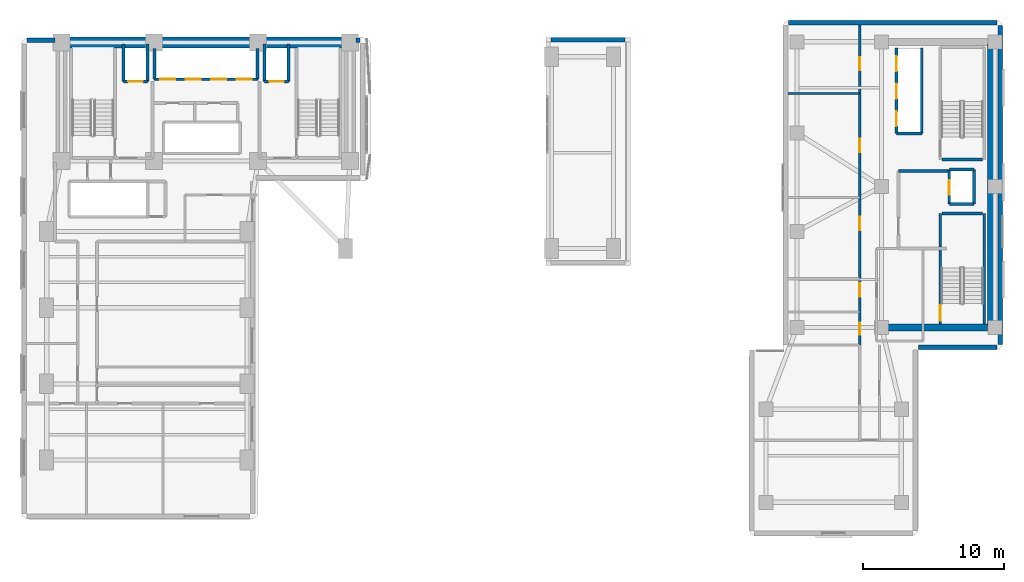
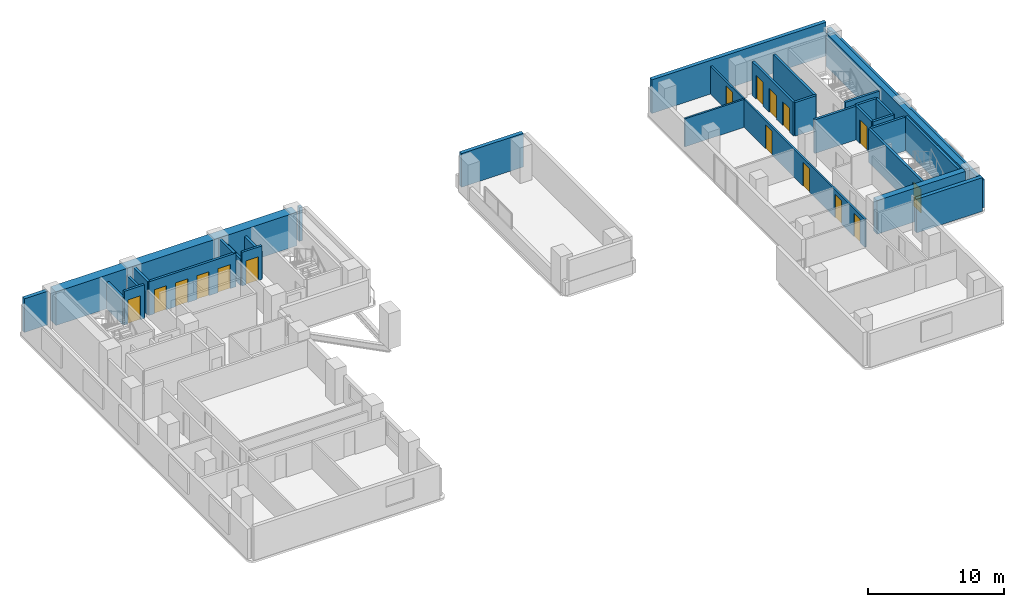
# One storey, part 10 of 14: 32 walls, 16 doors, 16 openings.
"""IFC4 building model written with IfcOpenShell, lengths in metres."""

from ifc_helpers import new_model, si_unit, direction, frame, frame_2d, origin, place, context, subcontext, project, spatial, rectangle, extrude, material, layer, layer_set, type_object, element, fill, save


model = new_model("IFC4")

# Units and contexts
model_context = context("Model", 3, precision=1e-05, world=origin(), true_north=direction((0.0, 1.0)))
body_context = subcontext(model_context, "Body", "Model", "MODEL_VIEW")
ifc_project = project(units=[si_unit("LENGTHUNIT", "METRE"), si_unit("AREAUNIT", "SQUARE_METRE"), si_unit("VOLUMEUNIT", "CUBIC_METRE"), si_unit("PLANEANGLEUNIT", "RADIAN"), si_unit("MASSUNIT", "GRAM", prefix="KILO")], contexts=[model_context])

# Site, building, storey
site_placement = place(None, origin())
site = spatial("IfcSite", under=ifc_project, at=site_placement, CompositionType="ELEMENT")
building_placement = place(site_placement, origin())
building = spatial("IfcBuilding", under=site, at=building_placement, Name="Kuzgunbayir Cultural Tower", CompositionType="ELEMENT")
storey_placement = place(building_placement, frame((0.0, 0.0, 33.39990234375)))
storey = spatial("IfcBuildingStorey", under=building, at=storey_placement, Name="L08", CompositionType="ELEMENT", Elevation=33.39990234375)

# Walls
ifc_material_1 = material(Name="Concrete C60/75", Category="concrete")
ifc_layer_1 = layer(ifc_material_1, 0.800048828125)
ifc_layer_set_1 = layer_set([ifc_layer_1], Name="Concrete C60/75")
wall_type_1 = type_object("IfcWallType", Name="WAL-CORE-800", PredefinedType="SHEAR", material=ifc_layer_set_1)
wall_1_placement = place(storey_placement, frame((6.449951171875, 42.199951171875, 0.0), z_axis=(0.0, 0.0, 1.0), x_axis=(1.0, 0.0, 0.0)))
element("IfcWall", 1, at=wall_1_placement, inside=storey, type_object=wall_type_1, Name="L08 T1 Core North Shear Wall", PredefinedType="SHEAR", context=body_context, shape_type="SweptSolid", body=[
    extrude(rectangle(XDim=20.449951171875, YDim=0.800048828125, at=frame_2d((10.22509765625, 0.0))), origin(), (0.0, 0.0, 1.0), 3.02001953125),
])
ifc_material_2 = material(Name="Travertine Buff Ashlar", Category="masonry")
ifc_layer_2 = layer(ifc_material_2, 0.320068359375)
ifc_layer_set_2 = layer_set([ifc_layer_2], Name="Travertine Buff Ashlar")
wall_type_2 = type_object("IfcWallType", Name="WAL-EXT-STONE-320", PredefinedType="STANDARD", material=ifc_layer_set_2)
wall_2_placement = place(storey_placement, frame((27.60009765625, 42.35009765625, 0.0), z_axis=(0.0, 0.0, 1.0), x_axis=(-1.0, 0.0, 0.0)))
element("IfcWall", 2, at=wall_2_placement, inside=storey, type_object=wall_type_2, Name="L08 North Wing B Limestone Wall", PredefinedType="STANDARD", context=body_context, shape_type="SweptSolid", body=[
    extrude(rectangle(XDim=0.25, YDim=0.320068359375, at=frame_2d((0.125, 0.0))), origin(), (0.0, 0.0, 1.0), 3.02001953125),
])
wall_3_placement = place(storey_placement, frame((6.0, 42.35009765625, 0.0), z_axis=(0.0, 0.0, 1.0), x_axis=(-1.0, 0.0, 0.0)))
element("IfcWall", 3, at=wall_3_placement, inside=storey, type_object=wall_type_2, Name="L08 Core North-West Spandrel Link", PredefinedType="STANDARD", context=body_context, shape_type="SweptSolid", body=[
    extrude(rectangle(XDim=2.0, YDim=0.320068359375, at=frame_2d((1.0, 0.0))), origin(), (0.0, 0.0, 1.0), 3.02001953125),
])
wall_4_placement = place(storey_placement, frame((46.39990234375, 42.39990234375, 0.0), z_axis=(0.0, 0.0, 1.0), x_axis=(-1.0, 0.0, 0.0)))
element("IfcWall", 4, at=wall_4_placement, inside=storey, type_object=wall_type_2, Name="L08 Portal Pier North Wall", PredefinedType="STANDARD", context=body_context, shape_type="SweptSolid", body=[
    extrude(rectangle(XDim=5.25, YDim=0.320068359375, at=frame_2d((2.625, 0.0))), origin(), (0.0, 0.0, 1.0), 3.02001953125),
])
wall_5_placement = place(storey_placement, frame((73.0, 20.800048828125, 0.0), z_axis=(0.0, 0.0, 1.0), x_axis=(0.0, 1.0, 0.0)))
element("IfcWall", 5, at=wall_5_placement, inside=storey, type_object=wall_type_2, Name="L08 Companion East Limestone Wall", PredefinedType="STANDARD", context=body_context, shape_type="SweptSolid", body=[
    extrude(rectangle(XDim=22.599853515625, YDim=0.320068359375, at=frame_2d((11.2998046875, 0.0))), origin(), (0.0, 0.0, 1.0), 2.510009765625),
])
wall_6_placement = place(storey_placement, frame((72.800048828125, 43.60009765625, 0.0), z_axis=(0.0, 0.0, 1.0), x_axis=(-1.0, 0.0, 0.0)))
element("IfcWall", 6, at=wall_6_placement, inside=storey, type_object=wall_type_2, Name="L08 Companion North Limestone Wall", PredefinedType="STANDARD", context=body_context, shape_type="SweptSolid", body=[
    extrude(rectangle(XDim=14.800048828125, YDim=0.320068359375, at=frame_2d((7.39990234375, 0.0))), origin(), (0.0, 0.0, 1.0), 3.02001953125),
])
wall_7_placement = place(storey_placement, frame((67.199951171875, 20.60009765625, 0.0), z_axis=(0.0, 0.0, 1.0), x_axis=(1.0, 0.0, 0.0)))
element("IfcWall", 7, at=wall_7_placement, inside=storey, type_object=wall_type_2, Name="L08 Companion South-East Link", PredefinedType="STANDARD", context=body_context, shape_type="SweptSolid", body=[
    extrude(rectangle(XDim=5.60009765625, YDim=0.320068359375, at=frame_2d((2.800048828125, 0.0))), origin(), (0.0, 0.0, 1.0), 3.02001953125),
])

# Wall, openings, doors
ifc_material_3 = material(Name="Acoustic Double-Stud Drywall", Category="gypsum")
ifc_layer_3 = layer(ifc_material_3, 0.14990234375)
ifc_layer_set_3 = layer_set([ifc_layer_3], Name="Acoustic Double-Stud Drywall")
wall_type_3 = type_object("IfcWallType", Name="WAL-PART-ACOUSTIC-150", PredefinedType="PARTITIONING", material=ifc_layer_set_3)
wall_8_placement = place(storey_placement, frame((63.050048828125, 20.75, 0.0), z_axis=(0.0, 0.0, 1.0), x_axis=(0.0, 1.0, 0.0)))
wall_8 = element("IfcWall", 8, at=wall_8_placement, inside=storey, type_object=wall_type_3, Name="L08 Companion Corridor West Wall", PredefinedType="PARTITIONING", context=body_context, shape_type="SweptSolid", body=[
    extrude(rectangle(XDim=22.699951171875, YDim=0.14990234375, at=frame_2d((11.35009765625, 0.0))), origin(), (0.0, 0.0, 1.0), 2.510009765625),
])
opening_1_placement = place(wall_8_placement, frame((0.72998046875, 0.0, 0.0)))
opening_1 = element("IfcOpeningElement", 9, at=opening_1_placement, cuts=wall_8, Name="Opening DW-85", PredefinedType="OPENING", context=body_context, shape_type="SweptSolid", body=[
    extrude(rectangle(XDim=0.85009765625, YDim=2.10009765625, at=frame_2d((0.425048828125, 1.050048828125))), frame((0.0, 0.0849609375, 0.0), z_axis=(0.0, -1.0, 0.0), x_axis=(1.0, 0.0, 0.0)), (0.0, 0.0, 1.0), 0.169921875),
])
opening_2_placement = place(wall_8_placement, frame((3.429931640625, 0.0, 0.0)))
opening_2 = element("IfcOpeningElement", 10, at=opening_2_placement, cuts=wall_8, Name="Opening DW-95", PredefinedType="OPENING", context=body_context, shape_type="SweptSolid", body=[
    extrude(rectangle(XDim=0.949951171875, YDim=2.10009765625, at=frame_2d((0.47509765625, 1.050048828125))), frame((0.0, 0.0849609375, 0.0), z_axis=(0.0, -1.0, 0.0), x_axis=(1.0, 0.0, 0.0)), (0.0, 0.0, 1.0), 0.169921875),
])
opening_3_placement = place(wall_8_placement, frame((8.14990234375, 0.0, 0.0)))
opening_3 = element("IfcOpeningElement", 11, at=opening_3_placement, cuts=wall_8, Name="Opening DI-90", PredefinedType="OPENING", context=body_context, shape_type="SweptSolid", body=[
    extrude(rectangle(XDim=0.949951171875, YDim=2.14990234375, at=frame_2d((0.47509765625, 1.074951171875))), frame((0.0, 0.0849609375, 0.0), z_axis=(0.0, -1.0, 0.0), x_axis=(1.0, 0.0, 0.0)), (0.0, 0.0, 1.0), 0.169921875),
])
opening_4_placement = place(wall_8_placement, frame((13.669921875, 0.0, 0.0)))
opening_4 = element("IfcOpeningElement", 12, at=opening_4_placement, cuts=wall_8, Name="Opening DI-90", PredefinedType="OPENING", context=body_context, shape_type="SweptSolid", body=[
    extrude(rectangle(XDim=0.949951171875, YDim=2.14990234375, at=frame_2d((0.47509765625, 1.074951171875))), frame((0.0, 0.0849609375, 0.0), z_axis=(0.0, -1.0, 0.0), x_axis=(1.0, 0.0, 0.0)), (0.0, 0.0, 1.0), 0.169921875),
])
opening_5_placement = place(wall_8_placement, frame((19.469970703125, 0.0, 0.0)))
opening_5 = element("IfcOpeningElement", 13, at=opening_5_placement, cuts=wall_8, Name="Opening DI-90", PredefinedType="OPENING", context=body_context, shape_type="SweptSolid", body=[
    extrude(rectangle(XDim=0.949951171875, YDim=2.14990234375, at=frame_2d((0.47509765625, 1.074951171875))), frame((0.0, 0.0849609375, 0.0), z_axis=(0.0, -1.0, 0.0), x_axis=(1.0, 0.0, 0.0)), (0.0, 0.0, 1.0), 0.169921875),
])
ifc_material_4 = material(Name="Veneered Oak Single Leaf", Category="wood")
door_type_1 = type_object("IfcDoorType", Name="DR-INT-90", OperationType="NOTDEFINED", PredefinedType="DOOR", material=ifc_material_4)
door_1_placement = place(opening_3_placement, origin())
door_1 = element("IfcDoor", 14, at=door_1_placement, inside=storey, type_object=door_type_1, Name="L08 Companion Wellness Consultation Studio 1 Door", OperationType="SINGLE_SWING_RIGHT", OverallHeight=2.14990234375, OverallWidth=0.949951171875, PredefinedType="DOOR", context=body_context, shape_type="SweptSolid", body=[
    extrude(rectangle(XDim=0.949951171875, YDim=2.14990234375, at=frame_2d((0.47509765625, 1.074951171875))), frame((0.0, 0.02490234375, 0.0), z_axis=(0.0, -1.0, 0.0), x_axis=(1.0, 0.0, 0.0)), (0.0, 0.0, 1.0), 0.050048828125),
])
fill(opening_3, door_1)
door_2_placement = place(opening_4_placement, origin())
door_2 = element("IfcDoor", 15, at=door_2_placement, inside=storey, type_object=door_type_1, Name="L08 Companion Fellows Reading Lounge 2 Door", OperationType="SINGLE_SWING_LEFT", OverallHeight=2.14990234375, OverallWidth=0.949951171875, PredefinedType="DOOR", context=body_context, shape_type="SweptSolid", body=[
    extrude(rectangle(XDim=0.949951171875, YDim=2.14990234375, at=frame_2d((0.47509765625, 1.074951171875))), frame((0.0, 0.02490234375, 0.0), z_axis=(0.0, -1.0, 0.0), x_axis=(1.0, 0.0, 0.0)), (0.0, 0.0, 1.0), 0.050048828125),
])
fill(opening_4, door_2)
door_3_placement = place(opening_5_placement, origin())
door_3 = element("IfcDoor", 16, at=door_3_placement, inside=storey, type_object=door_type_1, Name="L08 Companion Curatorial Office 3 Door", OperationType="SINGLE_SWING_RIGHT", OverallHeight=2.14990234375, OverallWidth=0.949951171875, PredefinedType="DOOR", context=body_context, shape_type="SweptSolid", body=[
    extrude(rectangle(XDim=0.949951171875, YDim=2.14990234375, at=frame_2d((0.47509765625, 1.074951171875))), frame((0.0, 0.02490234375, 0.0), z_axis=(0.0, -1.0, 0.0), x_axis=(1.0, 0.0, 0.0)), (0.0, 0.0, 1.0), 0.050048828125),
])
fill(opening_5, door_3)
ifc_material_5 = material(Name="Laminate Moisture-Resistant Leaf", Category="wood")
door_type_2 = type_object("IfcDoorType", Name="DR-WET-85", OperationType="NOTDEFINED", PredefinedType="DOOR", material=ifc_material_5)
door_4_placement = place(opening_1_placement, origin())
door_4 = element("IfcDoor", 17, at=door_4_placement, inside=storey, type_object=door_type_2, Name="L08 Companion WC Door", OperationType="SINGLE_SWING_RIGHT", OverallHeight=2.10009765625, OverallWidth=0.85009765625, PredefinedType="DOOR", context=body_context, shape_type="SweptSolid", body=[
    extrude(rectangle(XDim=0.85009765625, YDim=2.10009765625, at=frame_2d((0.425048828125, 1.050048828125))), frame((0.0, 0.02490234375, 0.0), z_axis=(0.0, -1.0, 0.0), x_axis=(1.0, 0.0, 0.0)), (0.0, 0.0, 1.0), 0.050048828125),
])
fill(opening_1, door_4)
door_type_3 = type_object("IfcDoorType", Name="DR-WET-95", OperationType="NOTDEFINED", PredefinedType="DOOR", material=ifc_material_5)
door_5_placement = place(opening_2_placement, origin())
door_5 = element("IfcDoor", 18, at=door_5_placement, inside=storey, type_object=door_type_3, Name="L08 Companion Accessible WC Door", OperationType="SINGLE_SWING_LEFT", OverallHeight=2.10009765625, OverallWidth=0.949951171875, PredefinedType="DOOR", context=body_context, shape_type="SweptSolid", body=[
    extrude(rectangle(XDim=0.949951171875, YDim=2.10009765625, at=frame_2d((0.47509765625, 1.050048828125))), frame((0.0, 0.02490234375, 0.0), z_axis=(0.0, -1.0, 0.0), x_axis=(1.0, 0.0, 0.0)), (0.0, 0.0, 1.0), 0.050048828125),
])
fill(opening_2, door_5)

# Walls
wall_9_placement = place(storey_placement, frame((57.949951171875, 38.590087890625, 0.0), z_axis=(0.0, 0.0, 1.0), x_axis=(1.0, 0.0, 0.0)))
element("IfcWall", 19, at=wall_9_placement, inside=storey, type_object=wall_type_3, Name="L08 Companion Studio Partition 2", PredefinedType="PARTITIONING", context=body_context, shape_type="SweptSolid", body=[
    extrude(rectangle(XDim=5.10009765625, YDim=0.14990234375, at=frame_2d((2.550048828125, 0.0))), origin(), (0.0, 0.0, 1.0), 2.510009765625),
])
ifc_material_6 = material(Name="Aerated Concrete Blockwork", Category="masonry")
ifc_layer_4 = layer(ifc_material_6, 0.199951171875)
ifc_layer_set_4 = layer_set([ifc_layer_4], Name="Aerated Concrete Blockwork")
wall_type_4 = type_object("IfcWallType", Name="WAL-PART-FIRE-200", PredefinedType="PARTITIONING", material=ifc_layer_set_4)
wall_10_placement = place(storey_placement, frame((65.800048828125, 33.10009765625, 0.0), z_axis=(0.0, 0.0, 1.0), x_axis=(1.0, 0.0, 0.0)))
element("IfcWall", 20, at=wall_10_placement, inside=storey, type_object=wall_type_4, Name="L08 FFL-3 Lobby North Fire Wall", PredefinedType="PARTITIONING", context=body_context, shape_type="SweptSolid", body=[
    extrude(rectangle(XDim=3.599853515625, YDim=0.199951171875, at=frame_2d((1.7998046875, 0.0))), origin(), (0.0, 0.0, 1.0), 3.02001953125),
])

# Wall, opening, door
ifc_material_7 = material(Name="Concrete C40/50", Category="concrete")
ifc_layer_5 = layer(ifc_material_7, 0.199951171875)
ifc_layer_set_5 = layer_set([ifc_layer_5], Name="Concrete C40/50")
wall_type_5 = type_object("IfcWallType", Name="WAL-SHAFT-200", PredefinedType="MOVABLE", material=ifc_layer_set_5)
wall_11_placement = place(storey_placement, frame((10.85009765625, 39.449951171875, 0.0), z_axis=(0.0, 0.0, 1.0), x_axis=(1.0, 0.0, 0.0)))
wall_11 = element("IfcWall", 21, at=wall_11_placement, inside=storey, type_object=wall_type_5, Name="L08 FFL-1 Lift Front Wall", PredefinedType="MOVABLE", context=body_context, shape_type="SweptSolid", body=[
    extrude(rectangle(XDim=1.699951171875, YDim=0.199951171875, at=frame_2d((0.85009765625, 0.0))), origin(), (0.0, 0.0, 1.0), 3.02001953125),
])
opening_6_placement = place(wall_11_placement, frame((0.320068359375, 0.0, 0.0)))
opening_6 = element("IfcOpeningElement", 22, at=opening_6_placement, cuts=wall_11, Name="Opening LD", PredefinedType="OPENING", context=body_context, shape_type="SweptSolid", body=[
    extrude(rectangle(XDim=1.050048828125, YDim=2.14990234375, at=frame_2d((0.52490234375, 1.074951171875))), frame((0.0, 0.10986328125, 0.0), z_axis=(0.0, -1.0, 0.0), x_axis=(1.0, 0.0, 0.0)), (0.0, 0.0, 1.0), 0.219970703125),
])
ifc_material_8 = material(Name="Brushed Stainless Steel", Category="steel")
door_type_4 = type_object("IfcDoorType", Name="DR-LIFT-LANDING", OperationType="SLIDING_TO_LEFT", PredefinedType="DOOR", material=ifc_material_8)
door_6_placement = place(opening_6_placement, origin())
door_6 = element("IfcDoor", 23, at=door_6_placement, inside=storey, type_object=door_type_4, Name="L08 Lift FFL-1 Landing Door", OperationType="SLIDING_TO_LEFT", OverallHeight=2.14990234375, OverallWidth=1.050048828125, PredefinedType="DOOR", context=body_context, shape_type="SweptSolid", body=[
    extrude(rectangle(XDim=1.050048828125, YDim=2.14990234375, at=frame_2d((0.52490234375, 1.074951171875))), frame((0.0, 0.02490234375, 0.0), z_axis=(0.0, -1.0, 0.0), x_axis=(1.0, 0.0, 0.0)), (0.0, 0.0, 1.0), 0.050048828125),
])
fill(opening_6, door_6)

wall_12_placement = place(storey_placement, frame((20.85009765625, 39.449951171875, 0.0), z_axis=(0.0, 0.0, 1.0), x_axis=(1.0, 0.0, 0.0)))
wall_12 = element("IfcWall", 24, at=wall_12_placement, inside=storey, type_object=wall_type_5, Name="L08 FFL-2 Lift Front Wall", PredefinedType="MOVABLE", context=body_context, shape_type="SweptSolid", body=[
    extrude(rectangle(XDim=1.699951171875, YDim=0.199951171875, at=frame_2d((0.85009765625, 0.0))), origin(), (0.0, 0.0, 1.0), 3.02001953125),
])
opening_7_placement = place(wall_12_placement, frame((0.320068359375, 0.0, 0.0)))
opening_7 = element("IfcOpeningElement", 25, at=opening_7_placement, cuts=wall_12, Name="Opening LD", PredefinedType="OPENING", context=body_context, shape_type="SweptSolid", body=[
    extrude(rectangle(XDim=1.050048828125, YDim=2.14990234375, at=frame_2d((0.52490234375, 1.074951171875))), frame((0.0, 0.10986328125, 0.0), z_axis=(0.0, -1.0, 0.0), x_axis=(1.0, 0.0, 0.0)), (0.0, 0.0, 1.0), 0.219970703125),
])
door_7_placement = place(opening_7_placement, origin())
door_7 = element("IfcDoor", 26, at=door_7_placement, inside=storey, type_object=door_type_4, Name="L08 Lift FFL-2 Landing Door", OperationType="SLIDING_TO_LEFT", OverallHeight=2.14990234375, OverallWidth=1.050048828125, PredefinedType="DOOR", context=body_context, shape_type="SweptSolid", body=[
    extrude(rectangle(XDim=1.050048828125, YDim=2.14990234375, at=frame_2d((0.52490234375, 1.074951171875))), frame((0.0, 0.02490234375, 0.0), z_axis=(0.0, -1.0, 0.0), x_axis=(1.0, 0.0, 0.0)), (0.0, 0.0, 1.0), 0.050048828125),
])
fill(opening_7, door_7)

# Walls
for number, where, z_axis, x_axis, name in (
    (27, (10.85009765625, 39.449951171875, 0.0), (0.0, 0.0, 1.0), (0.0, 1.0, 0.0), "L08 FFL-1 Shaft West Wall"),
    (28, (12.550048828125, 39.449951171875, 0.0), (0.0, 0.0, 1.0), (0.0, 1.0, 0.0), "L08 FFL-1 Shaft East Wall"),
    (29, (20.85009765625, 39.449951171875, 0.0), (0.0, 0.0, 1.0), (0.0, 1.0, 0.0), "L08 FFL-2 Shaft West Wall"),
    (30, (22.550048828125, 39.449951171875, 0.0), (0.0, 0.0, 1.0), (0.0, 1.0, 0.0), "L08 FFL-2 Shaft East Wall"),
):
    element("IfcWall", number, at=place(storey_placement, frame(where, z_axis=z_axis, x_axis=x_axis)), inside=storey, type_object=wall_type_5, Name=name, PredefinedType="MOVABLE", context=body_context, shape_type="SweptSolid", body=[
        extrude(rectangle(XDim=2.650146484375, YDim=0.199951171875, at=frame_2d((1.3251953125, 0.0))), origin(), (0.0, 0.0, 1.0), 2.400146484375),
    ])

# Wall, openings, doors
wall_13_placement = place(storey_placement, frame((13.0, 39.60009765625, 0.0), z_axis=(0.0, 0.0, 1.0), x_axis=(1.0, 0.0, 0.0)))
wall_13 = element("IfcWall", 31, at=wall_13_placement, inside=storey, type_object=wall_type_5, Name="L08 Low-Rise Lift Front Wall", PredefinedType="MOVABLE", context=body_context, shape_type="SweptSolid", body=[
    extrude(rectangle(XDim=7.39990234375, YDim=0.199951171875, at=frame_2d((3.699951171875, 0.0))), origin(), (0.0, 0.0, 1.0), 3.02001953125),
])
opening_8_placement = place(wall_13_placement, frame((0.469970703125, 0.0, 0.0)))
opening_8 = element("IfcOpeningElement", 32, at=opening_8_placement, cuts=wall_13, Name="Opening LD", PredefinedType="OPENING", context=body_context, shape_type="SweptSolid", body=[
    extrude(rectangle(XDim=1.050048828125, YDim=2.14990234375, at=frame_2d((0.52490234375, 1.074951171875))), frame((0.0, 0.10986328125, 0.0), z_axis=(0.0, -1.0, 0.0), x_axis=(1.0, 0.0, 0.0)), (0.0, 0.0, 1.0), 0.219970703125),
])
opening_9_placement = place(wall_13_placement, frame((2.280029296875, 0.0, 0.0)))
opening_9 = element("IfcOpeningElement", 33, at=opening_9_placement, cuts=wall_13, Name="Opening LD", PredefinedType="OPENING", context=body_context, shape_type="SweptSolid", body=[
    extrude(rectangle(XDim=1.050048828125, YDim=2.14990234375, at=frame_2d((0.52490234375, 1.074951171875))), frame((0.0, 0.10986328125, 0.0), z_axis=(0.0, -1.0, 0.0), x_axis=(1.0, 0.0, 0.0)), (0.0, 0.0, 1.0), 0.219970703125),
])
opening_10_placement = place(wall_13_placement, frame((4.080078125, 0.0, 0.0)))
opening_10 = element("IfcOpeningElement", 34, at=opening_10_placement, cuts=wall_13, Name="Opening LD", PredefinedType="OPENING", context=body_context, shape_type="SweptSolid", body=[
    extrude(rectangle(XDim=1.050048828125, YDim=2.14990234375, at=frame_2d((0.52490234375, 1.074951171875))), frame((0.0, 0.10986328125, 0.0), z_axis=(0.0, -1.0, 0.0), x_axis=(1.0, 0.0, 0.0)), (0.0, 0.0, 1.0), 0.219970703125),
])
opening_11_placement = place(wall_13_placement, frame((5.8798828125, 0.0, 0.0)))
opening_11 = element("IfcOpeningElement", 35, at=opening_11_placement, cuts=wall_13, Name="Opening LD", PredefinedType="OPENING", context=body_context, shape_type="SweptSolid", body=[
    extrude(rectangle(XDim=1.050048828125, YDim=2.14990234375, at=frame_2d((0.52490234375, 1.074951171875))), frame((0.0, 0.10986328125, 0.0), z_axis=(0.0, -1.0, 0.0), x_axis=(1.0, 0.0, 0.0)), (0.0, 0.0, 1.0), 0.219970703125),
])
door_8_placement = place(opening_8_placement, origin())
door_8 = element("IfcDoor", 36, at=door_8_placement, inside=storey, type_object=door_type_4, Name="L08 Lift PL-1 Landing Door", OperationType="SLIDING_TO_LEFT", OverallHeight=2.14990234375, OverallWidth=1.050048828125, PredefinedType="DOOR", context=body_context, shape_type="SweptSolid", body=[
    extrude(rectangle(XDim=1.050048828125, YDim=2.14990234375, at=frame_2d((0.52490234375, 1.074951171875))), frame((0.0, 0.02490234375, 0.0), z_axis=(0.0, -1.0, 0.0), x_axis=(1.0, 0.0, 0.0)), (0.0, 0.0, 1.0), 0.050048828125),
])
fill(opening_8, door_8)
door_9_placement = place(opening_9_placement, origin())
door_9 = element("IfcDoor", 37, at=door_9_placement, inside=storey, type_object=door_type_4, Name="L08 Lift PL-2 Landing Door", OperationType="SLIDING_TO_LEFT", OverallHeight=2.14990234375, OverallWidth=1.050048828125, PredefinedType="DOOR", context=body_context, shape_type="SweptSolid", body=[
    extrude(rectangle(XDim=1.050048828125, YDim=2.14990234375, at=frame_2d((0.52490234375, 1.074951171875))), frame((0.0, 0.02490234375, 0.0), z_axis=(0.0, -1.0, 0.0), x_axis=(1.0, 0.0, 0.0)), (0.0, 0.0, 1.0), 0.050048828125),
])
fill(opening_9, door_9)
door_10_placement = place(opening_10_placement, origin())
door_10 = element("IfcDoor", 38, at=door_10_placement, inside=storey, type_object=door_type_4, Name="L08 Lift PL-3 Landing Door", OperationType="SLIDING_TO_LEFT", OverallHeight=2.14990234375, OverallWidth=1.050048828125, PredefinedType="DOOR", context=body_context, shape_type="SweptSolid", body=[
    extrude(rectangle(XDim=1.050048828125, YDim=2.14990234375, at=frame_2d((0.52490234375, 1.074951171875))), frame((0.0, 0.02490234375, 0.0), z_axis=(0.0, -1.0, 0.0), x_axis=(1.0, 0.0, 0.0)), (0.0, 0.0, 1.0), 0.050048828125),
])
fill(opening_10, door_10)
door_11_placement = place(opening_11_placement, origin())
door_11 = element("IfcDoor", 39, at=door_11_placement, inside=storey, type_object=door_type_4, Name="L08 Lift PL-4 Landing Door", OperationType="SLIDING_TO_LEFT", OverallHeight=2.14990234375, OverallWidth=1.050048828125, PredefinedType="DOOR", context=body_context, shape_type="SweptSolid", body=[
    extrude(rectangle(XDim=1.050048828125, YDim=2.14990234375, at=frame_2d((0.52490234375, 1.074951171875))), frame((0.0, 0.02490234375, 0.0), z_axis=(0.0, -1.0, 0.0), x_axis=(1.0, 0.0, 0.0)), (0.0, 0.0, 1.0), 0.050048828125),
])
fill(opening_11, door_11)

# Walls
for number, where, z_axis, x_axis, name in (
    (40, (13.050048828125, 39.60009765625, 0.0), (0.0, 0.0, 1.0), (0.0, 1.0, 0.0), "L08 Low-Rise Lift Shaft West Wall"),
    (41, (20.35009765625, 39.60009765625, 0.0), (0.0, 0.0, 1.0), (0.0, 1.0, 0.0), "L08 Low-Rise Lift Shaft East Wall"),
):
    element("IfcWall", number, at=place(storey_placement, frame(where, z_axis=z_axis, x_axis=x_axis)), inside=storey, type_object=wall_type_5, Name=name, PredefinedType="MOVABLE", context=body_context, shape_type="SweptSolid", body=[
        extrude(rectangle(XDim=2.179931640625, YDim=0.199951171875, at=frame_2d((1.08984375, 0.0))), origin(), (0.0, 0.0, 1.0), 3.02001953125),
    ])

# Wall, openings, doors
wall_14_placement = place(storey_placement, frame((65.64990234375, 35.75, 0.0), z_axis=(0.0, 0.0, 1.0), x_axis=(0.0, 1.0, 0.0)))
wall_14 = element("IfcWall", 42, at=wall_14_placement, inside=storey, type_object=wall_type_5, Name="L08 Companion Lift Front Wall", PredefinedType="MOVABLE", context=body_context, shape_type="SweptSolid", body=[
    extrude(rectangle(XDim=6.050048828125, YDim=0.199951171875, at=frame_2d((3.02490234375, 0.0))), origin(), (0.0, 0.0, 1.0), 3.02001953125),
])
opening_12_placement = place(wall_14_placement, frame((0.52001953125, 0.0, 0.0)))
opening_12 = element("IfcOpeningElement", 43, at=opening_12_placement, cuts=wall_14, Name="Opening LD", PredefinedType="OPENING", context=body_context, shape_type="SweptSolid", body=[
    extrude(rectangle(XDim=1.050048828125, YDim=2.14990234375, at=frame_2d((0.52490234375, 1.074951171875))), frame((0.0, 0.10986328125, 0.0), z_axis=(0.0, -1.0, 0.0), x_axis=(1.0, 0.0, 0.0)), (0.0, 0.0, 1.0), 0.219970703125),
])
opening_13_placement = place(wall_14_placement, frame((2.47998046875, 0.0, 0.0)))
opening_13 = element("IfcOpeningElement", 44, at=opening_13_placement, cuts=wall_14, Name="Opening LD", PredefinedType="OPENING", context=body_context, shape_type="SweptSolid", body=[
    extrude(rectangle(XDim=1.050048828125, YDim=2.14990234375, at=frame_2d((0.52490234375, 1.074951171875))), frame((0.0, 0.10986328125, 0.0), z_axis=(0.0, -1.0, 0.0), x_axis=(1.0, 0.0, 0.0)), (0.0, 0.0, 1.0), 0.219970703125),
])
opening_14_placement = place(wall_14_placement, frame((4.429931640625, 0.0, 0.0)))
opening_14 = element("IfcOpeningElement", 45, at=opening_14_placement, cuts=wall_14, Name="Opening LD", PredefinedType="OPENING", context=body_context, shape_type="SweptSolid", body=[
    extrude(rectangle(XDim=1.050048828125, YDim=2.14990234375, at=frame_2d((0.52490234375, 1.074951171875))), frame((0.0, 0.10986328125, 0.0), z_axis=(0.0, -1.0, 0.0), x_axis=(1.0, 0.0, 0.0)), (0.0, 0.0, 1.0), 0.219970703125),
])
door_12_placement = place(opening_12_placement, origin())
door_12 = element("IfcDoor", 46, at=door_12_placement, inside=storey, type_object=door_type_4, Name="L08 Lift PC-1 Landing Door", OperationType="SLIDING_TO_LEFT", OverallHeight=2.14990234375, OverallWidth=1.050048828125, PredefinedType="DOOR", context=body_context, shape_type="SweptSolid", body=[
    extrude(rectangle(XDim=1.050048828125, YDim=2.14990234375, at=frame_2d((0.52490234375, 1.074951171875))), frame((0.0, 0.02490234375, 0.0), z_axis=(0.0, -1.0, 0.0), x_axis=(1.0, 0.0, 0.0)), (0.0, 0.0, 1.0), 0.050048828125),
])
fill(opening_12, door_12)
door_13_placement = place(opening_13_placement, origin())
door_13 = element("IfcDoor", 47, at=door_13_placement, inside=storey, type_object=door_type_4, Name="L08 Lift PC-2 Landing Door", OperationType="SLIDING_TO_LEFT", OverallHeight=2.14990234375, OverallWidth=1.050048828125, PredefinedType="DOOR", context=body_context, shape_type="SweptSolid", body=[
    extrude(rectangle(XDim=1.050048828125, YDim=2.14990234375, at=frame_2d((0.52490234375, 1.074951171875))), frame((0.0, 0.02490234375, 0.0), z_axis=(0.0, -1.0, 0.0), x_axis=(1.0, 0.0, 0.0)), (0.0, 0.0, 1.0), 0.050048828125),
])
fill(opening_13, door_13)
door_14_placement = place(opening_14_placement, origin())
door_14 = element("IfcDoor", 48, at=door_14_placement, inside=storey, type_object=door_type_4, Name="L08 Lift PC-3 Landing Door", OperationType="SLIDING_TO_LEFT", OverallHeight=2.14990234375, OverallWidth=1.050048828125, PredefinedType="DOOR", context=body_context, shape_type="SweptSolid", body=[
    extrude(rectangle(XDim=1.050048828125, YDim=2.14990234375, at=frame_2d((0.52490234375, 1.074951171875))), frame((0.0, 0.02490234375, 0.0), z_axis=(0.0, -1.0, 0.0), x_axis=(1.0, 0.0, 0.0)), (0.0, 0.0, 1.0), 0.050048828125),
])
fill(opening_14, door_14)

# Walls
wall_15_placement = place(storey_placement, frame((67.449951171875, 35.75, 0.0), z_axis=(0.0, 0.0, 1.0), x_axis=(0.0, 1.0, 0.0)))
element("IfcWall", 49, at=wall_15_placement, inside=storey, type_object=wall_type_5, Name="L08 Companion Lift Shaft Back Wall", PredefinedType="MOVABLE", context=body_context, shape_type="SweptSolid", body=[
    extrude(rectangle(XDim=6.050048828125, YDim=0.199951171875, at=frame_2d((3.02490234375, 0.0))), origin(), (0.0, 0.0, 1.0), 3.02001953125),
])
wall_16_placement = place(storey_placement, frame((65.64990234375, 35.75, 0.0), z_axis=(0.0, 0.0, 1.0), x_axis=(1.0, 0.0, 0.0)))
element("IfcWall", 50, at=wall_16_placement, inside=storey, type_object=wall_type_5, Name="L08 Companion Lift Shaft South Wall", PredefinedType="MOVABLE", context=body_context, shape_type="SweptSolid", body=[
    extrude(rectangle(XDim=1.800048828125, YDim=0.199951171875, at=frame_2d((0.89990234375, 0.0))), origin(), (0.0, 0.0, 1.0), 3.02001953125),
])

# Wall, opening, door
wall_17_placement = place(storey_placement, frame((69.39990234375, 30.75, 0.0), z_axis=(0.0, 0.0, 1.0), x_axis=(0.0, 1.0, 0.0)))
wall_17 = element("IfcWall", 51, at=wall_17_placement, inside=storey, type_object=wall_type_5, Name="L08 FFL-3 Lift Front Wall", PredefinedType="MOVABLE", context=body_context, shape_type="SweptSolid", body=[
    extrude(rectangle(XDim=2.449951171875, YDim=0.199951171875, at=frame_2d((1.22509765625, 0.0))), origin(), (0.0, 0.0, 1.0), 3.02001953125),
])
opening_15_placement = place(wall_17_placement, frame((0.64990234375, 0.0, 0.0)))
opening_15 = element("IfcOpeningElement", 52, at=opening_15_placement, cuts=wall_17, Name="Opening LD", PredefinedType="OPENING", context=body_context, shape_type="SweptSolid", body=[
    extrude(rectangle(XDim=1.050048828125, YDim=2.14990234375, at=frame_2d((0.52490234375, 1.074951171875))), frame((0.0, 0.10986328125, 0.0), z_axis=(0.0, -1.0, 0.0), x_axis=(1.0, 0.0, 0.0)), (0.0, 0.0, 1.0), 0.219970703125),
])
door_15_placement = place(opening_15_placement, origin())
door_15 = element("IfcDoor", 53, at=door_15_placement, inside=storey, type_object=door_type_4, Name="L08 Lift FFL-3 Landing Door", OperationType="SLIDING_TO_LEFT", OverallHeight=2.14990234375, OverallWidth=1.050048828125, PredefinedType="DOOR", context=body_context, shape_type="SweptSolid", body=[
    extrude(rectangle(XDim=1.050048828125, YDim=2.14990234375, at=frame_2d((0.52490234375, 1.074951171875))), frame((0.0, 0.02490234375, 0.0), z_axis=(0.0, -1.0, 0.0), x_axis=(1.0, 0.0, 0.0)), (0.0, 0.0, 1.0), 0.050048828125),
])
fill(opening_15, door_15)

# Walls
wall_18_placement = place(storey_placement, frame((71.14990234375, 30.75, 0.0), z_axis=(0.0, 0.0, 1.0), x_axis=(0.0, 1.0, 0.0)))
element("IfcWall", 54, at=wall_18_placement, inside=storey, type_object=wall_type_5, Name="L08 FFL-3 Shaft Back Wall", PredefinedType="MOVABLE", context=body_context, shape_type="SweptSolid", body=[
    extrude(rectangle(XDim=2.449951171875, YDim=0.199951171875, at=frame_2d((1.22509765625, 0.0))), origin(), (0.0, 0.0, 1.0), 3.02001953125),
])
for number, where, z_axis, x_axis, name in (
    (55, (69.39990234375, 33.199951171875, 0.0), (0.0, 0.0, 1.0), (1.0, 0.0, 0.0), "L08 FFL-3 Shaft North Wall"),
    (56, (69.39990234375, 30.75, 0.0), (0.0, 0.0, 1.0), (1.0, 0.0, 0.0), "L08 FFL-3 Shaft South Wall"),
):
    element("IfcWall", number, at=place(storey_placement, frame(where, z_axis=z_axis, x_axis=x_axis)), inside=storey, type_object=wall_type_5, Name=name, PredefinedType="MOVABLE", context=body_context, shape_type="SweptSolid", body=[
        extrude(rectangle(XDim=1.75, YDim=0.199951171875, at=frame_2d((0.875, 0.0))), origin(), (0.0, 0.0, 1.0), 3.02001953125),
    ])

# Wall, opening, door
ifc_layer_6 = layer(ifc_material_7, 0.199951171875)
ifc_layer_set_6 = layer_set([ifc_layer_6], Name="Concrete C40/50")
wall_type_6 = type_object("IfcWallType", Name="WAL-STAIR-RC-200", PredefinedType="SHEAR", material=ifc_layer_set_6)
wall_19_placement = place(storey_placement, frame((68.760009765625, 22.260009765625, 0.0), z_axis=(0.0, 0.0, 1.0), x_axis=(0.0, 1.0, 0.0)))
wall_19 = element("IfcWall", 57, at=wall_19_placement, inside=storey, type_object=wall_type_6, Name="L08 Stair ST-3 West Structural Wall", PredefinedType="SHEAR", context=body_context, shape_type="SweptSolid", body=[
    extrude(rectangle(XDim=7.820068359375, YDim=0.199951171875, at=frame_2d((3.91015625, 0.0))), origin(), (0.0, 0.0, 1.0), 3.02001953125),
])
opening_16_placement = place(wall_19_placement, frame((0.219970703125, 0.0, 0.0)))
opening_16 = element("IfcOpeningElement", 58, at=opening_16_placement, cuts=wall_19, Name="Opening DR-STAIR-90", PredefinedType="OPENING", context=body_context, shape_type="SweptSolid", body=[
    extrude(rectangle(XDim=1.10009765625, YDim=2.14990234375, at=frame_2d((0.550048828125, 1.074951171875))), frame((0.0, 0.10986328125, 0.0), z_axis=(0.0, -1.0, 0.0), x_axis=(1.0, 0.0, 0.0)), (0.0, 0.0, 1.0), 0.219970703125),
])
ifc_material_9 = material(Name="Steel S355J2", Category="steel")
door_type_5 = type_object("IfcDoorType", Name="DR-STAIR-90", OperationType="NOTDEFINED", PredefinedType="DOOR", material=ifc_material_9)
door_16_placement = place(opening_16_placement, origin())
door_16 = element("IfcDoor", 59, at=door_16_placement, inside=storey, type_object=door_type_5, Name="L08 Stair ST-3 Fire Door", OperationType="SINGLE_SWING_RIGHT", OverallHeight=2.14990234375, OverallWidth=1.10009765625, PredefinedType="DOOR", context=body_context, shape_type="SweptSolid", body=[
    extrude(rectangle(XDim=1.10009765625, YDim=2.14990234375, at=frame_2d((0.550048828125, 1.074951171875))), frame((0.0, 0.02490234375, 0.0), z_axis=(0.0, -1.0, 0.0), x_axis=(1.0, 0.0, 0.0)), (0.0, 0.0, 1.0), 0.050048828125),
])
fill(opening_16, door_16)

# Walls
wall_20_placement = place(storey_placement, frame((71.8798828125, 22.260009765625, 0.0), z_axis=(0.0, 0.0, 1.0), x_axis=(0.0, 1.0, 0.0)))
element("IfcWall", 60, at=wall_20_placement, inside=storey, type_object=wall_type_6, Name="L08 Stair ST-3 East Structural Wall", PredefinedType="SHEAR", context=body_context, shape_type="SweptSolid", body=[
    extrude(rectangle(XDim=7.820068359375, YDim=0.199951171875, at=frame_2d((3.91015625, 0.0))), origin(), (0.0, 0.0, 1.0), 3.02001953125),
])
for number, where, z_axis, x_axis, name in (
    (61, (68.8798828125, 30.080078125, 0.0), (0.0, 0.0, 1.0), (1.0, 0.0, 0.0), "L08 Stair ST-3 North Structural Wall"),
    (62, (68.8798828125, 33.919921875, 0.0), (0.0, 0.0, 1.0), (1.0, 0.0, 0.0), "L08 Stair ST-4 South Structural Wall"),
):
    element("IfcWall", number, at=place(storey_placement, frame(where, z_axis=z_axis, x_axis=x_axis)), inside=storey, type_object=wall_type_6, Name=name, PredefinedType="SHEAR", context=body_context, shape_type="SweptSolid", body=[
        extrude(rectangle(XDim=2.880126953125, YDim=0.199951171875, at=frame_2d((1.43994140625, 0.0))), origin(), (0.0, 0.0, 1.0), 3.02001953125),
    ])
ifc_layer_7 = layer(ifc_material_1, 0.5)
ifc_layer_set_7 = layer_set([ifc_layer_7], Name="Concrete C60/75")
wall_type_7 = type_object("IfcWallType", Name="WAL-T2-CORE-500", PredefinedType="SHEAR", material=ifc_layer_set_7)
wall_21_placement = place(storey_placement, frame((72.35009765625, 22.0, 0.0), z_axis=(0.0, 0.0, 1.0), x_axis=(0.0, 1.0, 0.0)))
element("IfcWall", 63, at=wall_21_placement, inside=storey, type_object=wall_type_7, Name="L08 Companion Core East Shear Wall", PredefinedType="SHEAR", context=body_context, shape_type="SweptSolid", body=[
    extrude(rectangle(XDim=20.25, YDim=0.5, at=frame_2d((10.125, 0.0))), origin(), (0.0, 0.0, 1.0), 3.02001953125),
])
wall_22_placement = place(storey_placement, frame((64.60009765625, 22.0, 0.0), z_axis=(0.0, 0.0, 1.0), x_axis=(1.0, 0.0, 0.0)))
element("IfcWall", 64, at=wall_22_placement, inside=storey, type_object=wall_type_7, Name="L08 Companion Core South Shear Wall", PredefinedType="SHEAR", context=body_context, shape_type="SweptSolid", body=[
    extrude(rectangle(XDim=7.5, YDim=0.5, at=frame_2d((3.75, 0.0))), origin(), (0.0, 0.0, 1.0), 3.02001953125),
])

save(model, "model.ifc")
